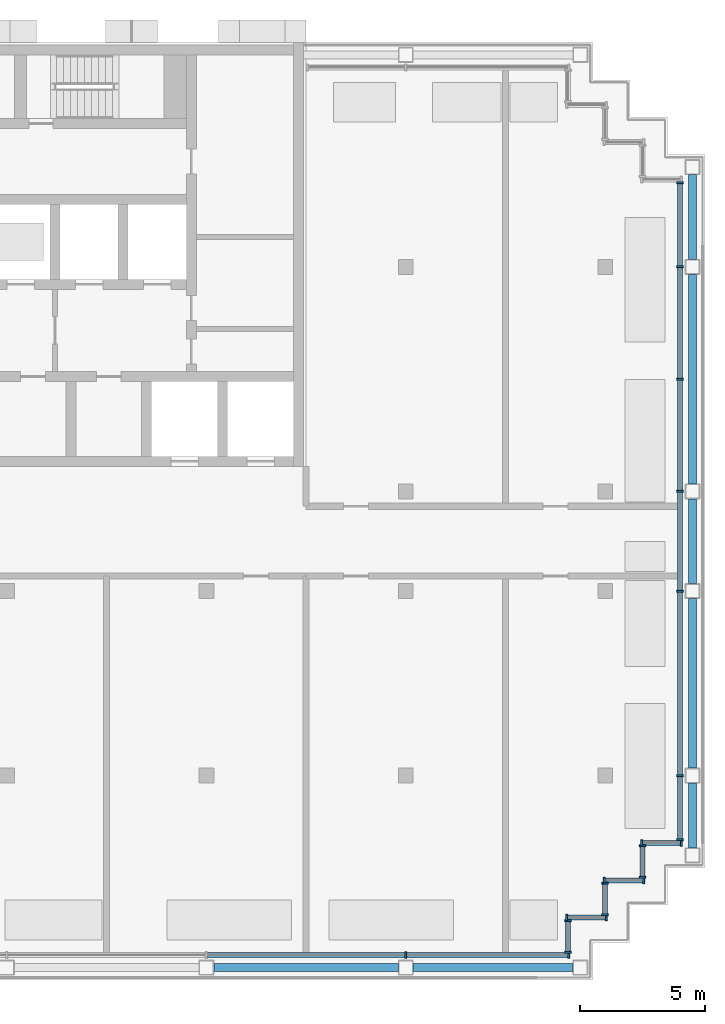
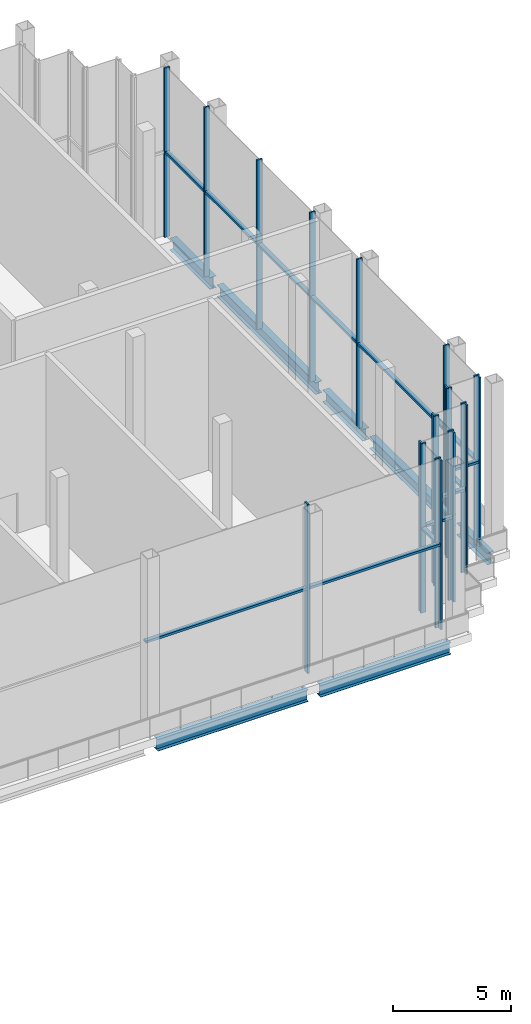
# One storey, part 3 of 15: 35 members, 7 beams, 8 elements without a shape of their own.
"""IFC4 building model written with IfcOpenShell, lengths in metres."""

from ifc_helpers import new_model, si_unit, direction, frame, origin, origin_2d, place, context, subcontext, project, spatial, rectangle, i_section, extrude, material, material_profile, profile_set, type_object, element, aggregate, save


model = new_model("IFC4")

# Units and contexts
model_context = context("Model", 3, precision=1e-05, world=origin(), true_north=direction((0.0, 1.0)))
body_context = subcontext(model_context, "Body", "Model", "MODEL_VIEW")
ifc_project = project(units=[si_unit("LENGTHUNIT", "METRE"), si_unit("AREAUNIT", "SQUARE_METRE"), si_unit("VOLUMEUNIT", "CUBIC_METRE"), si_unit("PLANEANGLEUNIT", "RADIAN"), si_unit("MASSUNIT", "GRAM", prefix="KILO")], contexts=[model_context])

# Site, building, storey
site_placement = place(None, origin())
site = spatial("IfcSite", under=ifc_project, at=site_placement, CompositionType="ELEMENT")
building_placement = place(site_placement, origin())
building = spatial("IfcBuilding", under=site, at=building_placement, Name="Vidyagriha Tower", CompositionType="ELEMENT")
storey_placement = place(building_placement, frame((0.0, 0.0, 239.60009765625)))
storey = spatial("IfcBuildingStorey", under=building, at=storey_placement, Name="L63", CompositionType="ELEMENT", Elevation=239.60009765625)

# Beams
ifc_material_1 = material(Name="Steel ASTM A992 Grade 50", Category="steel")
ifc_material_profile_1 = material_profile(ifc_material_1, i_section(OverallWidth=0.32373046875, OverallDepth=0.612060546875, WebThickness=0.0126953125, FlangeThickness=0.01904296875, at=origin_2d()), Name="W24X104")
ifc_profile_set_1 = profile_set([ifc_material_profile_1], Name="Steel ASTM A992 Grade 50")
beam_type = type_object("IfcBeamType", Name="Edge beam W24X104", PredefinedType="SPANDREL", material=ifc_profile_set_1)
beam_1_placement = place(storey_placement, frame((10.300048828125, -17.10009765625, -0.7060546875), z_axis=(1.0, 0.0, 0.0), x_axis=(0.0, 1.0, 0.0)))
element("IfcBeam", 1, at=beam_1_placement, inside=storey, type_object=beam_type, Name="st-beam-L63-S06", PredefinedType="SPANDREL", context=body_context, shape_type="SweptSolid", body=[
    extrude(i_section(OverallWidth=0.32373046875, OverallDepth=0.612060546875, WebThickness=0.0126953125, FlangeThickness=0.01904296875, at=origin_2d()), origin(), (0.0, 0.0, 1.0), 7.39990234375),
])
beam_2_placement = place(storey_placement, frame((18.300048828125, -17.10009765625, -0.7060546875), z_axis=(1.0, 0.0, 0.0), x_axis=(0.0, 1.0, 0.0)))
element("IfcBeam", 2, at=beam_2_placement, inside=storey, type_object=beam_type, Name="st-beam-L63-S07", PredefinedType="SPANDREL", context=body_context, shape_type="SweptSolid", body=[
    extrude(i_section(OverallWidth=0.32373046875, OverallDepth=0.612060546875, WebThickness=0.0126953125, FlangeThickness=0.01904296875, at=origin_2d()), origin(), (0.0, 0.0, 1.0), 6.39990234375),
])
beam_3_placement = place(storey_placement, frame((29.5, -12.300048828125, -0.7060546875), z_axis=(0.0, 1.0, 0.0), x_axis=(-1.0, 0.0, 0.0)))
element("IfcBeam", 3, at=beam_3_placement, inside=storey, type_object=beam_type, Name="st-beam-L63-E13", PredefinedType="SPANDREL", context=body_context, shape_type="SweptSolid", body=[
    extrude(i_section(OverallWidth=0.32373046875, OverallDepth=0.612060546875, WebThickness=0.0126953125, FlangeThickness=0.01904296875, at=origin_2d()), origin(), (0.0, 0.0, 1.0), 2.60009765625),
])
beam_4_placement = place(storey_placement, frame((29.5, -9.10009765625, -0.7060546875), z_axis=(0.0, 1.0, 0.0), x_axis=(-1.0, 0.0, 0.0)))
element("IfcBeam", 4, at=beam_4_placement, inside=storey, type_object=beam_type, Name="st-beam-L63-E14", PredefinedType="SPANDREL", context=body_context, shape_type="SweptSolid", body=[
    extrude(i_section(OverallWidth=0.32373046875, OverallDepth=0.612060546875, WebThickness=0.0126953125, FlangeThickness=0.01904296875, at=origin_2d()), origin(), (0.0, 0.0, 1.0), 6.800048828125),
])
beam_5_placement = place(storey_placement, frame((29.5, -1.699951171875, -0.7060546875), z_axis=(0.0, 1.0, 0.0), x_axis=(-1.0, 0.0, 0.0)))
element("IfcBeam", 5, at=beam_5_placement, inside=storey, type_object=beam_type, Name="st-beam-L63-E15", PredefinedType="SPANDREL", context=body_context, shape_type="SweptSolid", body=[
    extrude(i_section(OverallWidth=0.32373046875, OverallDepth=0.612060546875, WebThickness=0.0126953125, FlangeThickness=0.01904296875, at=origin_2d()), origin(), (0.0, 0.0, 1.0), 3.39990234375),
])
beam_6_placement = place(storey_placement, frame((29.5, 2.300048828125, -0.7060546875), z_axis=(0.0, 1.0, 0.0), x_axis=(-1.0, 0.0, 0.0)))
element("IfcBeam", 6, at=beam_6_placement, inside=storey, type_object=beam_type, Name="st-beam-L63-E16", PredefinedType="SPANDREL", context=body_context, shape_type="SweptSolid", body=[
    extrude(i_section(OverallWidth=0.32373046875, OverallDepth=0.612060546875, WebThickness=0.0126953125, FlangeThickness=0.01904296875, at=origin_2d()), origin(), (0.0, 0.0, 1.0), 8.39990234375),
])
beam_7_placement = place(storey_placement, frame((29.5, 11.300048828125, -0.7060546875), z_axis=(0.0, 1.0, 0.0), x_axis=(-1.0, 0.0, 0.0)))
element("IfcBeam", 7, at=beam_7_placement, inside=storey, type_object=beam_type, Name="st-beam-L63-E17", PredefinedType="SPANDREL", context=body_context, shape_type="SweptSolid", body=[
    extrude(i_section(OverallWidth=0.32373046875, OverallDepth=0.612060546875, WebThickness=0.0126953125, FlangeThickness=0.01904296875, at=origin_2d()), origin(), (0.0, 0.0, 1.0), 3.39990234375),
])

# Curtain wall, members
ifc_material_2 = material(Name="Aluminium and glass curtain wall", Category="aluminium")
curtain_wall_type = type_object("IfcCurtainWallType", Name="Winter garden glazing wall", PredefinedType="USERDEFINED", material=ifc_material_2)
curtain_wall_1_placement = place(storey_placement, origin())
curtain_wall_1 = element("IfcCurtainWall", 8, at=curtain_wall_1_placement, inside=storey, type_object=curtain_wall_type, Name="CW3 winter garden glazing", ObjectType="STICK GLAZING", PredefinedType="USERDEFINED")
ifc_material_3 = material(Name="Aluminium black anodised", Category="aluminium")
ifc_material_profile_2 = material_profile(ifc_material_3, rectangle(XDim=0.260009765625, YDim=0.080078125, at=origin_2d()), Name="Mullion 80x260 black aluminium")
ifc_profile_set_2 = profile_set([ifc_material_profile_2], Name="Aluminium black anodised")
member_type_1 = type_object("IfcMemberType", Name="Mullion 80x260 black aluminium", PredefinedType="MULLION", material=ifc_profile_set_2)
member_1_placement = place(storey_placement, frame((18.0, -16.60009765625, 0.0), z_axis=(0.0, 0.0, 1.0), x_axis=(0.0, 1.0, 0.0)))
member_1 = element("IfcMember", 9, at=member_1_placement, type_object=member_type_1, Name="CW3 mullion 7", PredefinedType="MULLION", context=body_context, shape_type="SweptSolid", body=[
    extrude(rectangle(XDim=0.260009765625, YDim=0.080078125, at=origin_2d()), origin(), (0.0, 0.0, 1.0), 8.7998046875),
])
member_2_placement = place(storey_placement, frame((24.5400390625, -16.60009765625, 0.0), z_axis=(0.0, 0.0, 1.0), x_axis=(0.0, 1.0, 0.0)))
member_2 = element("IfcMember", 10, at=member_2_placement, type_object=member_type_1, Name="CW3 mullion 8", PredefinedType="MULLION", context=body_context, shape_type="SweptSolid", body=[
    extrude(rectangle(XDim=0.260009765625, YDim=0.080078125, at=origin_2d()), origin(), (0.0, 0.0, 1.0), 8.7998046875),
])

curtain_wall_2_placement = place(storey_placement, origin())
curtain_wall_2 = element("IfcCurtainWall", 11, at=curtain_wall_2_placement, inside=storey, type_object=curtain_wall_type, Name="CW3 winter garden glazing", ObjectType="STICK GLAZING", PredefinedType="USERDEFINED")
member_3_placement = place(storey_placement, frame((24.5, -16.47998046875, 0.0), z_axis=(0.0, 0.0, 1.0), x_axis=(-1.0, 0.0, 0.0)))
member_3 = element("IfcMember", 12, at=member_3_placement, type_object=member_type_1, Name="CW3 mullion 1", PredefinedType="MULLION", context=body_context, shape_type="SweptSolid", body=[
    extrude(rectangle(XDim=0.260009765625, YDim=0.080078125, at=origin_2d()), origin(), (0.0, 0.0, 1.0), 8.7998046875),
])
member_4_placement = place(storey_placement, frame((24.5, -15.219970703125, 0.0), z_axis=(0.0, 0.0, 1.0), x_axis=(-1.0, 0.0, 0.0)))
member_4 = element("IfcMember", 13, at=member_4_placement, type_object=member_type_1, Name="CW3 mullion 2", PredefinedType="MULLION", context=body_context, shape_type="SweptSolid", body=[
    extrude(rectangle(XDim=0.260009765625, YDim=0.080078125, at=origin_2d()), origin(), (0.0, 0.0, 1.0), 8.7998046875),
])

curtain_wall_3_placement = place(storey_placement, origin())
curtain_wall_3 = element("IfcCurtainWall", 14, at=curtain_wall_3_placement, inside=storey, type_object=curtain_wall_type, Name="CW3 winter garden glazing", ObjectType="STICK GLAZING", PredefinedType="USERDEFINED")
member_5_placement = place(storey_placement, frame((24.4599609375, -15.10009765625, 0.0), z_axis=(0.0, 0.0, 1.0), x_axis=(0.0, 1.0, 0.0)))
member_5 = element("IfcMember", 15, at=member_5_placement, type_object=member_type_1, Name="CW3 mullion 1", PredefinedType="MULLION", context=body_context, shape_type="SweptSolid", body=[
    extrude(rectangle(XDim=0.260009765625, YDim=0.080078125, at=origin_2d()), origin(), (0.0, 0.0, 1.0), 8.7998046875),
])
member_6_placement = place(storey_placement, frame((26.0400390625, -15.10009765625, 0.0), z_axis=(0.0, 0.0, 1.0), x_axis=(0.0, 1.0, 0.0)))
member_6 = element("IfcMember", 16, at=member_6_placement, type_object=member_type_1, Name="CW3 mullion 2", PredefinedType="MULLION", context=body_context, shape_type="SweptSolid", body=[
    extrude(rectangle(XDim=0.260009765625, YDim=0.080078125, at=origin_2d()), origin(), (0.0, 0.0, 1.0), 8.7998046875),
])

curtain_wall_4_placement = place(storey_placement, origin())
curtain_wall_4 = element("IfcCurtainWall", 17, at=curtain_wall_4_placement, inside=storey, type_object=curtain_wall_type, Name="CW3 winter garden glazing", ObjectType="STICK GLAZING", PredefinedType="USERDEFINED")
member_7_placement = place(storey_placement, frame((26.0, -14.97998046875, 0.0), z_axis=(0.0, 0.0, 1.0), x_axis=(-1.0, 0.0, 0.0)))
member_7 = element("IfcMember", 18, at=member_7_placement, type_object=member_type_1, Name="CW3 mullion 1", PredefinedType="MULLION", context=body_context, shape_type="SweptSolid", body=[
    extrude(rectangle(XDim=0.260009765625, YDim=0.080078125, at=origin_2d()), origin(), (0.0, 0.0, 1.0), 8.7998046875),
])
member_8_placement = place(storey_placement, frame((26.0, -13.719970703125, 0.0), z_axis=(0.0, 0.0, 1.0), x_axis=(-1.0, 0.0, 0.0)))
member_8 = element("IfcMember", 19, at=member_8_placement, type_object=member_type_1, Name="CW3 mullion 2", PredefinedType="MULLION", context=body_context, shape_type="SweptSolid", body=[
    extrude(rectangle(XDim=0.260009765625, YDim=0.080078125, at=origin_2d()), origin(), (0.0, 0.0, 1.0), 8.7998046875),
])

curtain_wall_5_placement = place(storey_placement, origin())
curtain_wall_5 = element("IfcCurtainWall", 20, at=curtain_wall_5_placement, inside=storey, type_object=curtain_wall_type, Name="CW3 winter garden glazing", ObjectType="STICK GLAZING", PredefinedType="USERDEFINED")
member_9_placement = place(storey_placement, frame((25.9599609375, -13.60009765625, 0.0), z_axis=(0.0, 0.0, 1.0), x_axis=(0.0, 1.0, 0.0)))
member_9 = element("IfcMember", 21, at=member_9_placement, type_object=member_type_1, Name="CW3 mullion 1", PredefinedType="MULLION", context=body_context, shape_type="SweptSolid", body=[
    extrude(rectangle(XDim=0.260009765625, YDim=0.080078125, at=origin_2d()), origin(), (0.0, 0.0, 1.0), 8.7998046875),
])
member_10_placement = place(storey_placement, frame((27.5400390625, -13.60009765625, 0.0), z_axis=(0.0, 0.0, 1.0), x_axis=(0.0, 1.0, 0.0)))
member_10 = element("IfcMember", 22, at=member_10_placement, type_object=member_type_1, Name="CW3 mullion 2", PredefinedType="MULLION", context=body_context, shape_type="SweptSolid", body=[
    extrude(rectangle(XDim=0.260009765625, YDim=0.080078125, at=origin_2d()), origin(), (0.0, 0.0, 1.0), 8.7998046875),
])

curtain_wall_6_placement = place(storey_placement, origin())
curtain_wall_6 = element("IfcCurtainWall", 23, at=curtain_wall_6_placement, inside=storey, type_object=curtain_wall_type, Name="CW3 winter garden glazing", ObjectType="STICK GLAZING", PredefinedType="USERDEFINED")
member_11_placement = place(storey_placement, frame((27.5, -13.47998046875, 0.0), z_axis=(0.0, 0.0, 1.0), x_axis=(-1.0, 0.0, 0.0)))
member_11 = element("IfcMember", 24, at=member_11_placement, type_object=member_type_1, Name="CW3 mullion 1", PredefinedType="MULLION", context=body_context, shape_type="SweptSolid", body=[
    extrude(rectangle(XDim=0.260009765625, YDim=0.080078125, at=origin_2d()), origin(), (0.0, 0.0, 1.0), 8.7998046875),
])
member_12_placement = place(storey_placement, frame((27.5, -12.219970703125, 0.0), z_axis=(0.0, 0.0, 1.0), x_axis=(-1.0, 0.0, 0.0)))
member_12 = element("IfcMember", 25, at=member_12_placement, type_object=member_type_1, Name="CW3 mullion 2", PredefinedType="MULLION", context=body_context, shape_type="SweptSolid", body=[
    extrude(rectangle(XDim=0.260009765625, YDim=0.080078125, at=origin_2d()), origin(), (0.0, 0.0, 1.0), 8.7998046875),
])

curtain_wall_7_placement = place(storey_placement, origin())
curtain_wall_7 = element("IfcCurtainWall", 26, at=curtain_wall_7_placement, inside=storey, type_object=curtain_wall_type, Name="CW3 winter garden glazing", ObjectType="STICK GLAZING", PredefinedType="USERDEFINED")
member_13_placement = place(storey_placement, frame((27.4599609375, -12.10009765625, 0.0), z_axis=(0.0, 0.0, 1.0), x_axis=(0.0, 1.0, 0.0)))
member_13 = element("IfcMember", 27, at=member_13_placement, type_object=member_type_1, Name="CW3 mullion 1", PredefinedType="MULLION", context=body_context, shape_type="SweptSolid", body=[
    extrude(rectangle(XDim=0.260009765625, YDim=0.080078125, at=origin_2d()), origin(), (0.0, 0.0, 1.0), 8.7998046875),
])
member_14_placement = place(storey_placement, frame((29.0400390625, -12.10009765625, 0.0), z_axis=(0.0, 0.0, 1.0), x_axis=(0.0, 1.0, 0.0)))
member_14 = element("IfcMember", 28, at=member_14_placement, type_object=member_type_1, Name="CW3 mullion 2", PredefinedType="MULLION", context=body_context, shape_type="SweptSolid", body=[
    extrude(rectangle(XDim=0.260009765625, YDim=0.080078125, at=origin_2d()), origin(), (0.0, 0.0, 1.0), 8.7998046875),
])

curtain_wall_8_placement = place(storey_placement, origin())
curtain_wall_8 = element("IfcCurtainWall", 29, at=curtain_wall_8_placement, inside=storey, type_object=curtain_wall_type, Name="CW3 winter garden glazing", ObjectType="STICK GLAZING", PredefinedType="USERDEFINED")
member_15_placement = place(storey_placement, frame((29.0, -11.97998046875, 0.0), z_axis=(0.0, 0.0, 1.0), x_axis=(-1.0, 0.0, 0.0)))
member_15 = element("IfcMember", 30, at=member_15_placement, type_object=member_type_1, Name="CW3 mullion 1", PredefinedType="MULLION", context=body_context, shape_type="SweptSolid", body=[
    extrude(rectangle(XDim=0.260009765625, YDim=0.080078125, at=origin_2d()), origin(), (0.0, 0.0, 1.0), 8.7998046875),
])
member_16_placement = place(storey_placement, frame((29.0, -9.39990234375, 0.0), z_axis=(0.0, 0.0, 1.0), x_axis=(-1.0, 0.0, 0.0)))
member_16 = element("IfcMember", 31, at=member_16_placement, type_object=member_type_1, Name="CW3 mullion 2", PredefinedType="MULLION", context=body_context, shape_type="SweptSolid", body=[
    extrude(rectangle(XDim=0.260009765625, YDim=0.080078125, at=origin_2d()), origin(), (0.0, 0.0, 1.0), 8.7998046875),
])
member_17_placement = place(storey_placement, frame((29.0, -2.0, 0.0), z_axis=(0.0, 0.0, 1.0), x_axis=(-1.0, 0.0, 0.0)))
member_17 = element("IfcMember", 32, at=member_17_placement, type_object=member_type_1, Name="CW3 mullion 3", PredefinedType="MULLION", context=body_context, shape_type="SweptSolid", body=[
    extrude(rectangle(XDim=0.260009765625, YDim=0.080078125, at=origin_2d()), origin(), (0.0, 0.0, 1.0), 8.7998046875),
])
member_18_placement = place(storey_placement, frame((29.0, 2.0, 0.0), z_axis=(0.0, 0.0, 1.0), x_axis=(-1.0, 0.0, 0.0)))
member_18 = element("IfcMember", 33, at=member_18_placement, type_object=member_type_1, Name="CW3 mullion 4", PredefinedType="MULLION", context=body_context, shape_type="SweptSolid", body=[
    extrude(rectangle(XDim=0.260009765625, YDim=0.080078125, at=origin_2d()), origin(), (0.0, 0.0, 1.0), 8.7998046875),
])
member_19_placement = place(storey_placement, frame((29.0, 6.5, 0.0), z_axis=(0.0, 0.0, 1.0), x_axis=(-1.0, 0.0, 0.0)))
member_19 = element("IfcMember", 34, at=member_19_placement, type_object=member_type_1, Name="CW3 mullion 5", PredefinedType="MULLION", context=body_context, shape_type="SweptSolid", body=[
    extrude(rectangle(XDim=0.260009765625, YDim=0.080078125, at=origin_2d()), origin(), (0.0, 0.0, 1.0), 8.7998046875),
])
member_20_placement = place(storey_placement, frame((29.0, 11.0, 0.0), z_axis=(0.0, 0.0, 1.0), x_axis=(-1.0, 0.0, 0.0)))
member_20 = element("IfcMember", 35, at=member_20_placement, type_object=member_type_1, Name="CW3 mullion 6", PredefinedType="MULLION", context=body_context, shape_type="SweptSolid", body=[
    extrude(rectangle(XDim=0.260009765625, YDim=0.080078125, at=origin_2d()), origin(), (0.0, 0.0, 1.0), 8.7998046875),
])
member_21_placement = place(storey_placement, frame((29.0, 14.3798828125, 0.0), z_axis=(0.0, 0.0, 1.0), x_axis=(-1.0, 0.0, 0.0)))
member_21 = element("IfcMember", 36, at=member_21_placement, type_object=member_type_1, Name="CW3 mullion 7", PredefinedType="MULLION", context=body_context, shape_type="SweptSolid", body=[
    extrude(rectangle(XDim=0.260009765625, YDim=0.080078125, at=origin_2d()), origin(), (0.0, 0.0, 1.0), 8.7998046875),
])

# Member
ifc_material_4 = material(Name="Aluminium black anodised", Category="aluminium")
ifc_material_profile_3 = material_profile(ifc_material_4, rectangle(XDim=0.199951171875, YDim=0.1201171875, at=origin_2d()), Name="Transom 120x200 black aluminium")
ifc_profile_set_3 = profile_set([ifc_material_profile_3], Name="Aluminium black anodised")
member_type_2 = type_object("IfcMemberType", Name="Transom 120x200 black aluminium", PredefinedType="USERDEFINED", material=ifc_profile_set_3)
member_22_placement = place(storey_placement, frame((10.0400390625, -16.60009765625, 4.39990234375), z_axis=(1.0, 0.0, 0.0), x_axis=(0.0, 1.0, 0.0)))
member_22 = element("IfcMember", 37, at=member_22_placement, type_object=member_type_2, Name="CW3 transom 6.1", ObjectType="TRANSOM", PredefinedType="USERDEFINED", context=body_context, shape_type="SweptSolid", body=[
    extrude(rectangle(XDim=0.199951171875, YDim=0.1201171875, at=origin_2d()), origin(), (0.0, 0.0, 1.0), 7.919921875),
])

member_23_placement = place(storey_placement, frame((18.0400390625, -16.60009765625, 4.39990234375), z_axis=(1.0, 0.0, 0.0), x_axis=(0.0, 1.0, 0.0)))
member_23 = element("IfcMember", 38, at=member_23_placement, type_object=member_type_2, Name="CW3 transom 7.1", ObjectType="TRANSOM", PredefinedType="USERDEFINED", context=body_context, shape_type="SweptSolid", body=[
    extrude(rectangle(XDim=0.199951171875, YDim=0.1201171875, at=origin_2d()), origin(), (0.0, 0.0, 1.0), 6.4599609375),
])

aggregate(curtain_wall_1, [member_1, member_2, member_22, member_23])

member_24_placement = place(storey_placement, frame((24.5, -16.43994140625, 4.39990234375), z_axis=(0.0, 1.0, 0.0), x_axis=(-1.0, 0.0, 0.0)))
member_24 = element("IfcMember", 39, at=member_24_placement, type_object=member_type_2, Name="CW3 transom 1.1", ObjectType="TRANSOM", PredefinedType="USERDEFINED", context=body_context, shape_type="SweptSolid", body=[
    extrude(rectangle(XDim=0.199951171875, YDim=0.1201171875, at=origin_2d()), origin(), (0.0, 0.0, 1.0), 1.179931640625),
])

aggregate(curtain_wall_2, [member_3, member_4, member_24])

member_25_placement = place(storey_placement, frame((24.5, -15.10009765625, 4.39990234375), z_axis=(1.0, 0.0, 0.0), x_axis=(0.0, 1.0, 0.0)))
member_25 = element("IfcMember", 40, at=member_25_placement, type_object=member_type_2, Name="CW3 transom 1.1", ObjectType="TRANSOM", PredefinedType="USERDEFINED", context=body_context, shape_type="SweptSolid", body=[
    extrude(rectangle(XDim=0.199951171875, YDim=0.1201171875, at=origin_2d()), origin(), (0.0, 0.0, 1.0), 1.5),
])

aggregate(curtain_wall_3, [member_5, member_6, member_25])

member_26_placement = place(storey_placement, frame((26.0, -14.93994140625, 4.39990234375), z_axis=(0.0, 1.0, 0.0), x_axis=(-1.0, 0.0, 0.0)))
member_26 = element("IfcMember", 41, at=member_26_placement, type_object=member_type_2, Name="CW3 transom 1.1", ObjectType="TRANSOM", PredefinedType="USERDEFINED", context=body_context, shape_type="SweptSolid", body=[
    extrude(rectangle(XDim=0.199951171875, YDim=0.1201171875, at=origin_2d()), origin(), (0.0, 0.0, 1.0), 1.179931640625),
])

aggregate(curtain_wall_4, [member_7, member_8, member_26])

member_27_placement = place(storey_placement, frame((26.0, -13.60009765625, 4.39990234375), z_axis=(1.0, 0.0, 0.0), x_axis=(0.0, 1.0, 0.0)))
member_27 = element("IfcMember", 42, at=member_27_placement, type_object=member_type_2, Name="CW3 transom 1.1", ObjectType="TRANSOM", PredefinedType="USERDEFINED", context=body_context, shape_type="SweptSolid", body=[
    extrude(rectangle(XDim=0.199951171875, YDim=0.1201171875, at=origin_2d()), origin(), (0.0, 0.0, 1.0), 1.5),
])

aggregate(curtain_wall_5, [member_9, member_10, member_27])

member_28_placement = place(storey_placement, frame((27.5, -13.43994140625, 4.39990234375), z_axis=(0.0, 1.0, 0.0), x_axis=(-1.0, 0.0, 0.0)))
member_28 = element("IfcMember", 43, at=member_28_placement, type_object=member_type_2, Name="CW3 transom 1.1", ObjectType="TRANSOM", PredefinedType="USERDEFINED", context=body_context, shape_type="SweptSolid", body=[
    extrude(rectangle(XDim=0.199951171875, YDim=0.1201171875, at=origin_2d()), origin(), (0.0, 0.0, 1.0), 1.179931640625),
])

aggregate(curtain_wall_6, [member_11, member_12, member_28])

member_29_placement = place(storey_placement, frame((27.5, -12.10009765625, 4.39990234375), z_axis=(1.0, 0.0, 0.0), x_axis=(0.0, 1.0, 0.0)))
member_29 = element("IfcMember", 44, at=member_29_placement, type_object=member_type_2, Name="CW3 transom 1.1", ObjectType="TRANSOM", PredefinedType="USERDEFINED", context=body_context, shape_type="SweptSolid", body=[
    extrude(rectangle(XDim=0.199951171875, YDim=0.1201171875, at=origin_2d()), origin(), (0.0, 0.0, 1.0), 1.5),
])

aggregate(curtain_wall_7, [member_13, member_14, member_29])

member_30_placement = place(storey_placement, frame((29.0, -11.93994140625, 4.39990234375), z_axis=(0.0, 1.0, 0.0), x_axis=(-1.0, 0.0, 0.0)))
member_30 = element("IfcMember", 45, at=member_30_placement, type_object=member_type_2, Name="CW3 transom 1.1", ObjectType="TRANSOM", PredefinedType="USERDEFINED", context=body_context, shape_type="SweptSolid", body=[
    extrude(rectangle(XDim=0.199951171875, YDim=0.1201171875, at=origin_2d()), origin(), (0.0, 0.0, 1.0), 2.5),
])

member_31_placement = place(storey_placement, frame((29.0, -9.360107421875, 4.39990234375), z_axis=(0.0, 1.0, 0.0), x_axis=(-1.0, 0.0, 0.0)))
member_31 = element("IfcMember", 46, at=member_31_placement, type_object=member_type_2, Name="CW3 transom 2.1", ObjectType="TRANSOM", PredefinedType="USERDEFINED", context=body_context, shape_type="SweptSolid", body=[
    extrude(rectangle(XDim=0.199951171875, YDim=0.1201171875, at=origin_2d()), origin(), (0.0, 0.0, 1.0), 7.320068359375),
])

member_32_placement = place(storey_placement, frame((29.0, -1.9599609375, 4.39990234375), z_axis=(0.0, 1.0, 0.0), x_axis=(-1.0, 0.0, 0.0)))
member_32 = element("IfcMember", 47, at=member_32_placement, type_object=member_type_2, Name="CW3 transom 3.1", ObjectType="TRANSOM", PredefinedType="USERDEFINED", context=body_context, shape_type="SweptSolid", body=[
    extrude(rectangle(XDim=0.199951171875, YDim=0.1201171875, at=origin_2d()), origin(), (0.0, 0.0, 1.0), 3.919921875),
])

member_33_placement = place(storey_placement, frame((29.0, 2.0400390625, 4.39990234375), z_axis=(0.0, 1.0, 0.0), x_axis=(-1.0, 0.0, 0.0)))
member_33 = element("IfcMember", 48, at=member_33_placement, type_object=member_type_2, Name="CW3 transom 4.1", ObjectType="TRANSOM", PredefinedType="USERDEFINED", context=body_context, shape_type="SweptSolid", body=[
    extrude(rectangle(XDim=0.199951171875, YDim=0.1201171875, at=origin_2d()), origin(), (0.0, 0.0, 1.0), 4.419921875),
])

member_34_placement = place(storey_placement, frame((29.0, 6.5400390625, 4.39990234375), z_axis=(0.0, 1.0, 0.0), x_axis=(-1.0, 0.0, 0.0)))
member_34 = element("IfcMember", 49, at=member_34_placement, type_object=member_type_2, Name="CW3 transom 5.1", ObjectType="TRANSOM", PredefinedType="USERDEFINED", context=body_context, shape_type="SweptSolid", body=[
    extrude(rectangle(XDim=0.199951171875, YDim=0.1201171875, at=origin_2d()), origin(), (0.0, 0.0, 1.0), 4.419921875),
])

member_35_placement = place(storey_placement, frame((29.0, 11.0400390625, 4.39990234375), z_axis=(0.0, 1.0, 0.0), x_axis=(-1.0, 0.0, 0.0)))
member_35 = element("IfcMember", 50, at=member_35_placement, type_object=member_type_2, Name="CW3 transom 6.1", ObjectType="TRANSOM", PredefinedType="USERDEFINED", context=body_context, shape_type="SweptSolid", body=[
    extrude(rectangle(XDim=0.199951171875, YDim=0.1201171875, at=origin_2d()), origin(), (0.0, 0.0, 1.0), 3.300048828125),
])

aggregate(curtain_wall_8, [member_15, member_16, member_17, member_18, member_19, member_20, member_21, member_30, member_31, member_32, member_33, member_34, member_35])

save(model, "model.ifc")
